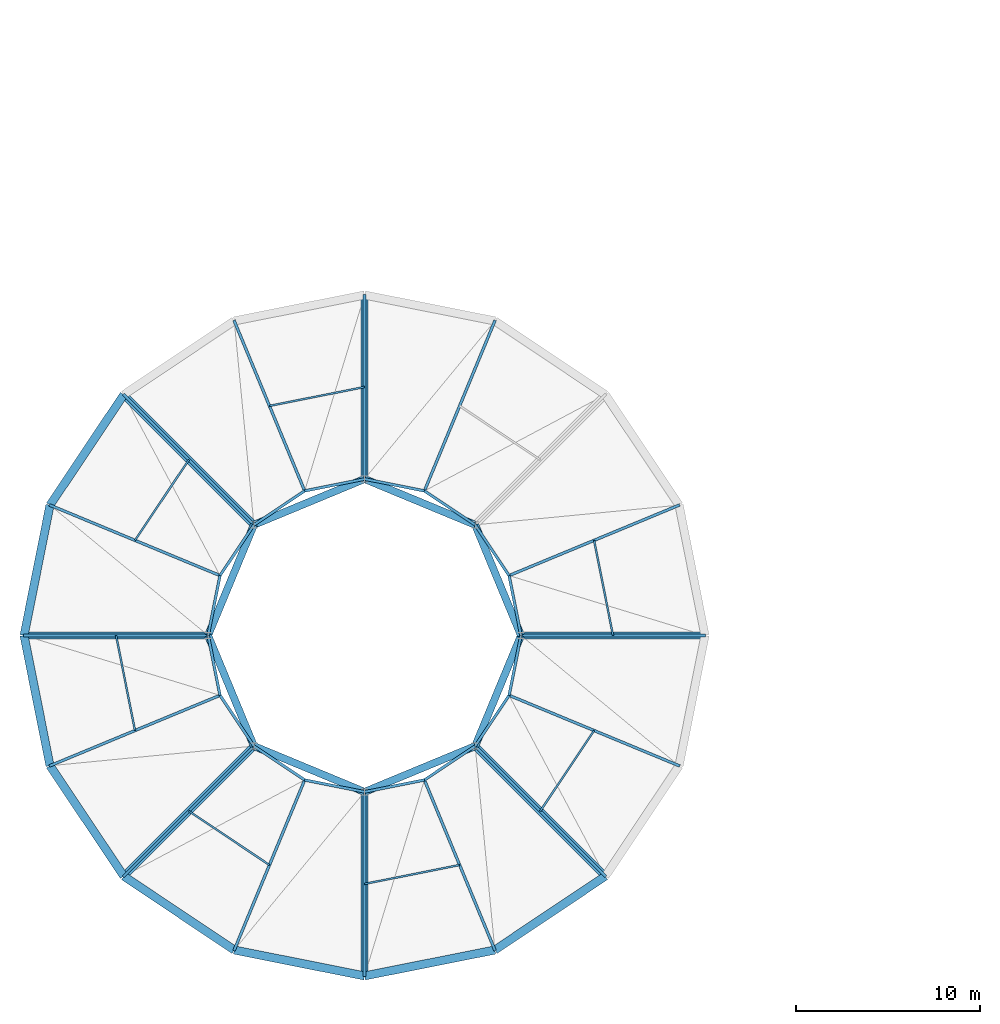
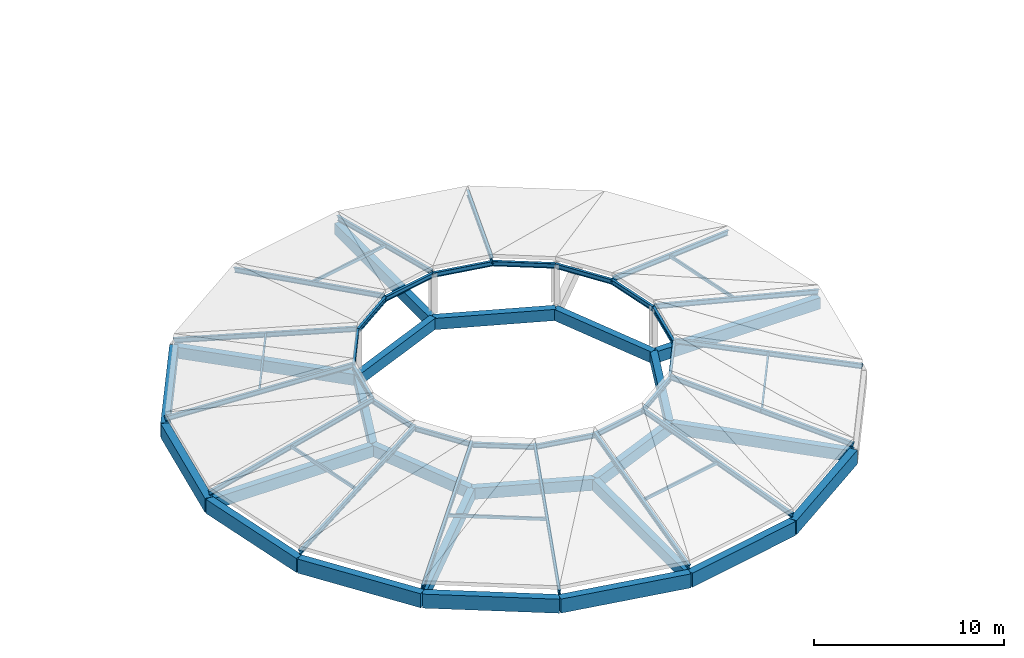
# One storey, part 8 of 50: 54 beams, 7 members.
"""IFC4 building model written with IfcOpenShell, lengths in metres."""

from ifc_helpers import new_model, si_unit, derived_unit, direction, frame, origin, origin_2d, place, context, subcontext, project, spatial, rectangle, hollow_rectangle, i_section, extrude, material, material_profile, profile_set, type_object, element, save


model = new_model("IFC4")

# Units and contexts
model_context = context("Model", 3, precision=1e-05, world=origin(), true_north=direction((0.0, 1.0)))
body_context = subcontext(model_context, "Body", "Model", "MODEL_VIEW")
ifc_project = project(units=[si_unit("LENGTHUNIT", "METRE"), si_unit("AREAUNIT", "SQUARE_METRE"), si_unit("VOLUMEUNIT", "CUBIC_METRE"), si_unit("PLANEANGLEUNIT", "RADIAN"), si_unit("MASSUNIT", "GRAM", prefix="KILO"), si_unit("THERMODYNAMICTEMPERATUREUNIT", "KELVIN"), derived_unit("THERMALTRANSMITTANCEUNIT", [(si_unit("POWERUNIT", "WATT"), 1), (si_unit("AREAUNIT", "SQUARE_METRE"), -1), (si_unit("THERMODYNAMICTEMPERATUREUNIT", "KELVIN"), -1)])], contexts=[model_context])

# Site, building, storey
site_placement = place(None, origin())
site = spatial("IfcSite", under=ifc_project, at=site_placement, CompositionType="ELEMENT")
building_placement = place(site_placement, origin())
building = spatial("IfcBuilding", under=site, at=building_placement, Name="Haiyu Intermodal Mobility Hub", CompositionType="ELEMENT")
storey_placement = place(building_placement, frame((0.0, 0.0, 25.10009765625)))
storey = spatial("IfcBuildingStorey", under=building, at=storey_placement, Name="L06", CompositionType="ELEMENT", Elevation=25.10009765625)

# Beams
ifc_material_1 = material(Name="Concrete C40", Category="concrete")
ifc_material_profile_1 = material_profile(ifc_material_1, rectangle(XDim=0.449951171875, YDim=0.89990234375, at=origin_2d()), Name="RCB450x900")
ifc_profile_set_1 = profile_set([ifc_material_profile_1], Name="Concrete C40")
beam_type_1 = type_object("IfcBeamType", Name="BM-CB10", PredefinedType="BEAM", material=ifc_profile_set_1)
beam_1_placement = place(storey_placement, frame((20.9189453125, 73.0810546875, -0.72998046875), z_axis=(-0.555691099877, -0.831388838942, 0.0), x_axis=(0.831388838942, -0.555691099877, 0.0)))
element("IfcBeam", 1, at=beam_1_placement, inside=storey, type_object=beam_type_1, Name="BM-RMP-O-L06-007", PredefinedType="BEAM", context=body_context, shape_type="SweptSolid", body=[
    extrude(rectangle(XDim=0.449951171875, YDim=0.89990234375, at=origin_2d()), origin(), (0.0, 0.0, 1.0), 7.218017578125),
])
for number, where, z_axis, x_axis, name in (
    (2, (16.907958984375, 67.080078125, -0.72998046875), (-0.195042866972, -0.980794718605, 0.0), (0.980794718605, -0.195042866972, 0.0), "BM-RMP-O-L06-008"),
    (3, (15.5, 60.0, -0.72998046875), (0.195042866972, -0.980794718605, 0.0), (0.980794718605, 0.195042866972, 0.0), "BM-RMP-O-L06-009"),
):
    element("IfcBeam", number, at=place(storey_placement, frame(where, z_axis=z_axis, x_axis=x_axis)), inside=storey, type_object=beam_type_1, Name=name, PredefinedType="BEAM", context=body_context, shape_type="SweptSolid", body=[
        extrude(rectangle(XDim=0.449951171875, YDim=0.89990234375, at=origin_2d()), origin(), (0.0, 0.0, 1.0), 7.21875),
    ])
for number, where, z_axis, x_axis, name in (
    (4, (16.907958984375, 52.919921875, -0.72998046875), (0.555691099877, -0.831388838942, 0.0), (0.831388838942, 0.555691099877, 0.0), "BM-RMP-O-L06-010"),
    (5, (20.9189453125, 46.9189453125, -0.72998046875), (0.831388838942, -0.555691099877, 0.0), (0.555691099877, 0.831388838942, 0.0), "BM-RMP-O-L06-011"),
):
    element("IfcBeam", number, at=place(storey_placement, frame(where, z_axis=z_axis, x_axis=x_axis)), inside=storey, type_object=beam_type_1, Name=name, PredefinedType="BEAM", context=body_context, shape_type="SweptSolid", body=[
        extrude(rectangle(XDim=0.449951171875, YDim=0.89990234375, at=origin_2d()), origin(), (0.0, 0.0, 1.0), 7.218017578125),
    ])
for number, where, z_axis, x_axis, name in (
    (6, (26.919921875, 42.907958984375, -0.72998046875), (0.980794718605, -0.195042866972, 0.0), (0.195042866972, 0.980794718605, 0.0), "BM-RMP-O-L06-012"),
    (7, (34.0, 41.5, -0.72998046875), (0.980794718605, 0.195042866972, 0.0), (-0.195042866972, 0.980794718605, 0.0), "BM-RMP-O-L06-013"),
):
    element("IfcBeam", number, at=place(storey_placement, frame(where, z_axis=z_axis, x_axis=x_axis)), inside=storey, type_object=beam_type_1, Name=name, PredefinedType="BEAM", context=body_context, shape_type="SweptSolid", body=[
        extrude(rectangle(XDim=0.449951171875, YDim=0.89990234375, at=origin_2d()), origin(), (0.0, 0.0, 1.0), 7.21875),
    ])
beam_2_placement = place(storey_placement, frame((41.080078125, 42.907958984375, -0.72998046875), z_axis=(0.831388838942, 0.555691099877, 0.0), x_axis=(-0.555691099877, 0.831388838942, 0.0)))
element("IfcBeam", 8, at=beam_2_placement, inside=storey, type_object=beam_type_1, Name="BM-RMP-O-L06-014", PredefinedType="BEAM", context=body_context, shape_type="SweptSolid", body=[
    extrude(rectangle(XDim=0.449951171875, YDim=0.89990234375, at=origin_2d()), origin(), (0.0, 0.0, 1.0), 7.218017578125),
])
ifc_material_profile_2 = material_profile(ifc_material_1, rectangle(XDim=0.39990234375, YDim=0.719970703125, at=origin_2d()), Name="RCB400x720")
ifc_profile_set_2 = profile_set([ifc_material_profile_2], Name="Concrete C40")
beam_type_2 = type_object("IfcBeamType", Name="BM-CB11", PredefinedType="BEAM", material=ifc_profile_set_2)
beam_3_placement = place(storey_placement, frame((42.5, 60.0, -0.64013671875), z_axis=(-0.382757258538, 0.923848949253, 0.0), x_axis=(-0.923848949253, -0.382757258538, 0.0)))
element("IfcBeam", 9, at=beam_3_placement, inside=storey, type_object=beam_type_2, Name="BM-RMP-I-L06-017", PredefinedType="BEAM", context=body_context, shape_type="SweptSolid", body=[
    extrude(rectangle(XDim=0.39990234375, YDim=0.719970703125, at=origin_2d()), origin(), (0.0, 0.0, 1.0), 6.50537109375),
])
beam_4_placement = place(storey_placement, frame((42.5, 60.0, -0.64013671875), z_axis=(1.0, 0.0, 0.0), x_axis=(0.0, 1.0, 0.0)))
element("IfcBeam", 10, at=beam_4_placement, inside=storey, type_object=beam_type_2, Name="BM-RMP-R-L06-018", PredefinedType="BEAM", context=body_context, shape_type="SweptSolid", body=[
    extrude(rectangle(XDim=0.39990234375, YDim=0.719970703125, at=origin_2d()), origin(), (0.0, 0.0, 1.0), 10.0),
])
for number, where, z_axis, x_axis, name in (
    (11, (40.010009765625, 66.010009765625, -0.64013671875), (-0.923848949253, 0.382757258538, 0.0), (-0.382757258538, -0.923848949253, 0.0), "BM-RMP-I-L06-019"),
    (12, (34.0, 68.5, -0.64013671875), (-0.923848949253, -0.382757258538, 0.0), (0.382757258538, -0.923848949253, 0.0), "BM-RMP-I-L06-021"),
):
    element("IfcBeam", number, at=place(storey_placement, frame(where, z_axis=z_axis, x_axis=x_axis)), inside=storey, type_object=beam_type_2, Name=name, PredefinedType="BEAM", context=body_context, shape_type="SweptSolid", body=[
        extrude(rectangle(XDim=0.39990234375, YDim=0.719970703125, at=origin_2d()), origin(), (0.0, 0.0, 1.0), 6.50537109375),
    ])
beam_5_placement = place(storey_placement, frame((34.0, 68.5, -0.64013671875), z_axis=(0.0, 1.0, 0.0), x_axis=(-1.0, 0.0, 0.0)))
element("IfcBeam", 13, at=beam_5_placement, inside=storey, type_object=beam_type_2, Name="BM-RMP-R-L06-022", PredefinedType="BEAM", context=body_context, shape_type="SweptSolid", body=[
    extrude(rectangle(XDim=0.39990234375, YDim=0.719970703125, at=origin_2d()), origin(), (0.0, 0.0, 1.0), 10.0),
])
beam_6_placement = place(storey_placement, frame((27.989990234375, 66.010009765625, -0.64013671875), z_axis=(-0.382757258538, -0.923848949253, 0.0), x_axis=(0.923848949253, -0.382757258538, 0.0)))
element("IfcBeam", 14, at=beam_6_placement, inside=storey, type_object=beam_type_2, Name="BM-RMP-I-L06-023", PredefinedType="BEAM", context=body_context, shape_type="SweptSolid", body=[
    extrude(rectangle(XDim=0.39990234375, YDim=0.719970703125, at=origin_2d()), origin(), (0.0, 0.0, 1.0), 6.50537109375),
])
beam_7_placement = place(storey_placement, frame((27.989990234375, 66.010009765625, -0.64013671875), z_axis=(-0.707106781187, 0.707106781187, 0.0), x_axis=(-0.707106781187, -0.707106781187, 0.0)))
element("IfcBeam", 15, at=beam_7_placement, inside=storey, type_object=beam_type_2, Name="BM-RMP-R-L06-024", PredefinedType="BEAM", context=body_context, shape_type="SweptSolid", body=[
    extrude(rectangle(XDim=0.39990234375, YDim=0.719970703125, at=origin_2d()), origin(), (0.0, 0.0, 1.0), 10.0),
])
beam_8_placement = place(storey_placement, frame((25.5, 60.0, -0.64013671875), z_axis=(0.382757258538, -0.923848949253, 0.0), x_axis=(0.923848949253, 0.382757258538, 0.0)))
element("IfcBeam", 16, at=beam_8_placement, inside=storey, type_object=beam_type_2, Name="BM-RMP-I-L06-025", PredefinedType="BEAM", context=body_context, shape_type="SweptSolid", body=[
    extrude(rectangle(XDim=0.39990234375, YDim=0.719970703125, at=origin_2d()), origin(), (0.0, 0.0, 1.0), 6.50537109375),
])
beam_9_placement = place(storey_placement, frame((25.5, 60.0, -0.64013671875), z_axis=(-1.0, 0.0, 0.0), x_axis=(0.0, -1.0, 0.0)))
element("IfcBeam", 17, at=beam_9_placement, inside=storey, type_object=beam_type_2, Name="BM-RMP-R-L06-026", PredefinedType="BEAM", context=body_context, shape_type="SweptSolid", body=[
    extrude(rectangle(XDim=0.39990234375, YDim=0.719970703125, at=origin_2d()), origin(), (0.0, 0.0, 1.0), 10.0),
])
beam_10_placement = place(storey_placement, frame((27.989990234375, 53.989990234375, -0.64013671875), z_axis=(0.923848949253, -0.382757258538, 0.0), x_axis=(0.382757258538, 0.923848949253, 0.0)))
element("IfcBeam", 18, at=beam_10_placement, inside=storey, type_object=beam_type_2, Name="BM-RMP-I-L06-027", PredefinedType="BEAM", context=body_context, shape_type="SweptSolid", body=[
    extrude(rectangle(XDim=0.39990234375, YDim=0.719970703125, at=origin_2d()), origin(), (0.0, 0.0, 1.0), 6.50537109375),
])
beam_11_placement = place(storey_placement, frame((27.989990234375, 53.989990234375, -0.64013671875), z_axis=(-0.707106781187, -0.707106781187, 0.0), x_axis=(0.707106781187, -0.707106781187, 0.0)))
element("IfcBeam", 19, at=beam_11_placement, inside=storey, type_object=beam_type_2, Name="BM-RMP-R-L06-028", PredefinedType="BEAM", context=body_context, shape_type="SweptSolid", body=[
    extrude(rectangle(XDim=0.39990234375, YDim=0.719970703125, at=origin_2d()), origin(), (0.0, 0.0, 1.0), 10.0),
])
beam_12_placement = place(storey_placement, frame((34.0, 51.5, -0.64013671875), z_axis=(0.923848949253, 0.382757258538, 0.0), x_axis=(-0.382757258538, 0.923848949253, 0.0)))
element("IfcBeam", 20, at=beam_12_placement, inside=storey, type_object=beam_type_2, Name="BM-RMP-I-L06-029", PredefinedType="BEAM", context=body_context, shape_type="SweptSolid", body=[
    extrude(rectangle(XDim=0.39990234375, YDim=0.719970703125, at=origin_2d()), origin(), (0.0, 0.0, 1.0), 6.50537109375),
])
beam_13_placement = place(storey_placement, frame((34.0, 51.5, -0.64013671875), z_axis=(0.0, -1.0, 0.0), x_axis=(1.0, 0.0, 0.0)))
element("IfcBeam", 21, at=beam_13_placement, inside=storey, type_object=beam_type_2, Name="BM-RMP-R-L06-030", PredefinedType="BEAM", context=body_context, shape_type="SweptSolid", body=[
    extrude(rectangle(XDim=0.39990234375, YDim=0.719970703125, at=origin_2d()), origin(), (0.0, 0.0, 1.0), 10.0),
])
beam_14_placement = place(storey_placement, frame((40.010009765625, 53.989990234375, -0.64013671875), z_axis=(0.382757258538, 0.923848949253, 0.0), x_axis=(-0.923848949253, 0.382757258538, 0.0)))
element("IfcBeam", 22, at=beam_14_placement, inside=storey, type_object=beam_type_2, Name="BM-RMP-I-L06-031", PredefinedType="BEAM", context=body_context, shape_type="SweptSolid", body=[
    extrude(rectangle(XDim=0.39990234375, YDim=0.719970703125, at=origin_2d()), origin(), (0.0, 0.0, 1.0), 6.50537109375),
])
beam_15_placement = place(storey_placement, frame((40.010009765625, 53.989990234375, -0.64013671875), z_axis=(0.707106781187, -0.707106781187, 0.0), x_axis=(0.707106781187, 0.707106781187, 0.0)))
element("IfcBeam", 23, at=beam_15_placement, inside=storey, type_object=beam_type_2, Name="BM-RMP-R-L06-032", PredefinedType="BEAM", context=body_context, shape_type="SweptSolid", body=[
    extrude(rectangle(XDim=0.39990234375, YDim=0.719970703125, at=origin_2d()), origin(), (0.0, 0.0, 1.0), 10.0),
])
ifc_material_2 = material(Name="Steel Q355C", Category="steel")
ifc_material_profile_3 = material_profile(ifc_material_2, i_section(OverallWidth=0.14990234375, OverallDepth=0.300048828125, WebThickness=0.006591796875, FlangeThickness=0.009033203125, FilletRadius=0.012939453125, at=origin_2d()), Name="HN300x150x6.5x9")
ifc_profile_set_3 = profile_set([ifc_material_profile_3], Name="Steel Q355C")
beam_type_3 = type_object("IfcBeamType", Name="BM-SB10", PredefinedType="JOIST", material=ifc_profile_set_3)
beam_16_placement = place(storey_placement, frame((42.5, 60.0, 2.39990234375), z_axis=(-0.195068485645, 0.980789623675, 0.0), x_axis=(-0.980789623675, -0.195068485645, 0.0)))
element("IfcBeam", 24, at=beam_16_placement, inside=storey, type_object=beam_type_3, Name="BM-RMPLR-L06-01", PredefinedType="JOIST", context=body_context, shape_type="SweptSolid", body=[
    extrude(i_section(OverallWidth=0.14990234375, OverallDepth=0.300048828125, WebThickness=0.006591796875, FlangeThickness=0.009033203125, FilletRadius=0.012939453125, at=origin_2d()), origin(), (0.0, 0.0, 1.0), 3.316650390625),
])
beam_17_placement = place(storey_placement, frame((52.5, 60.0, 0.0), z_axis=(-0.968996324385, 0.0, 0.247075137009), x_axis=(0.0, -1.0, 0.0)))
element("IfcBeam", 25, at=beam_17_placement, inside=storey, type_object=beam_type_3, Name="Ramp Drum Radial Rafter RR-01", PredefinedType="JOIST", context=body_context, shape_type="SweptSolid", body=[
    extrude(i_section(OverallWidth=0.14990234375, OverallDepth=0.300048828125, WebThickness=0.006591796875, FlangeThickness=0.009033203125, FilletRadius=0.012939453125, at=origin_2d()), origin(), (0.0, 0.0, 1.0), 10.320068359375),
])
beam_18_placement = place(storey_placement, frame((41.85302734375, 63.2529296875, 2.39990234375), z_axis=(-0.555736069331, 0.831358780097, 0.0), x_axis=(-0.831358780097, -0.555736069331, 0.0)))
element("IfcBeam", 26, at=beam_18_placement, inside=storey, type_object=beam_type_3, Name="BM-RMPLR-L06-02", PredefinedType="JOIST", context=body_context, shape_type="SweptSolid", body=[
    extrude(i_section(OverallWidth=0.14990234375, OverallDepth=0.300048828125, WebThickness=0.006591796875, FlangeThickness=0.009033203125, FilletRadius=0.012939453125, at=origin_2d()), origin(), (0.0, 0.0, 1.0), 3.31640625),
])
beam_19_placement = place(storey_placement, frame((51.092041015625, 67.080078125, 0.0), z_axis=(-0.895229967722, -0.37083806712, 0.247067668601), x_axis=(0.382702523239, -0.923871624581, 0.0)))
element("IfcBeam", 27, at=beam_19_placement, inside=storey, type_object=beam_type_3, Name="Ramp Drum Radial Rafter RR-02", PredefinedType="JOIST", context=body_context, shape_type="SweptSolid", body=[
    extrude(i_section(OverallWidth=0.14990234375, OverallDepth=0.300048828125, WebThickness=0.006591796875, FlangeThickness=0.009033203125, FilletRadius=0.012939453125, at=origin_2d()), origin(), (0.0, 0.0, 1.0), 10.3203125),
])
beam_20_placement = place(storey_placement, frame((40.010009765625, 66.010009765625, 2.39990234375), z_axis=(-0.831358780097, 0.555736069331, 0.0), x_axis=(-0.555736069331, -0.831358780097, 0.0)))
element("IfcBeam", 28, at=beam_20_placement, inside=storey, type_object=beam_type_3, Name="BM-RMPLR-L06-03", PredefinedType="JOIST", context=body_context, shape_type="SweptSolid", body=[
    extrude(i_section(OverallWidth=0.14990234375, OverallDepth=0.300048828125, WebThickness=0.006591796875, FlangeThickness=0.009033203125, FilletRadius=0.012939453125, at=origin_2d()), origin(), (0.0, 0.0, 1.0), 3.31640625),
])
beam_21_placement = place(storey_placement, frame((37.2529296875, 67.85302734375, 2.39990234375), z_axis=(-0.980789623675, 0.195068485645, 0.0), x_axis=(-0.195068485645, -0.980789623675, 0.0)))
element("IfcBeam", 29, at=beam_21_placement, inside=storey, type_object=beam_type_3, Name="BM-RMPLR-L06-04", PredefinedType="JOIST", context=body_context, shape_type="SweptSolid", body=[
    extrude(i_section(OverallWidth=0.14990234375, OverallDepth=0.300048828125, WebThickness=0.006591796875, FlangeThickness=0.009033203125, FilletRadius=0.012939453125, at=origin_2d()), origin(), (0.0, 0.0, 1.0), 3.316650390625),
])
beam_22_placement = place(storey_placement, frame((41.080078125, 77.092041015625, 0.0), z_axis=(-0.37083806712, -0.895229967722, 0.247067668601), x_axis=(0.923871624581, -0.382702523239, 0.0)))
element("IfcBeam", 30, at=beam_22_placement, inside=storey, type_object=beam_type_3, Name="Ramp Drum Radial Rafter RR-04", PredefinedType="JOIST", context=body_context, shape_type="SweptSolid", body=[
    extrude(i_section(OverallWidth=0.14990234375, OverallDepth=0.300048828125, WebThickness=0.006591796875, FlangeThickness=0.009033203125, FilletRadius=0.012939453125, at=origin_2d()), origin(), (0.0, 0.0, 1.0), 10.3203125),
])
beam_23_placement = place(storey_placement, frame((34.0, 68.5, 2.39990234375), z_axis=(-0.980789623675, -0.195068485645, 0.0), x_axis=(0.195068485645, -0.980789623675, 0.0)))
element("IfcBeam", 31, at=beam_23_placement, inside=storey, type_object=beam_type_3, Name="BM-RMPLR-L06-05", PredefinedType="JOIST", context=body_context, shape_type="SweptSolid", body=[
    extrude(i_section(OverallWidth=0.14990234375, OverallDepth=0.300048828125, WebThickness=0.006591796875, FlangeThickness=0.009033203125, FilletRadius=0.012939453125, at=origin_2d()), origin(), (0.0, 0.0, 1.0), 3.316650390625),
])
beam_24_placement = place(storey_placement, frame((34.0, 78.5, 0.0), z_axis=(0.0, -0.968996324385, 0.247075137009), x_axis=(1.0, 0.0, 0.0)))
element("IfcBeam", 32, at=beam_24_placement, inside=storey, type_object=beam_type_3, Name="Ramp Drum Radial Rafter RR-05", PredefinedType="JOIST", context=body_context, shape_type="SweptSolid", body=[
    extrude(i_section(OverallWidth=0.14990234375, OverallDepth=0.300048828125, WebThickness=0.006591796875, FlangeThickness=0.009033203125, FilletRadius=0.012939453125, at=origin_2d()), origin(), (0.0, 0.0, 1.0), 10.320068359375),
])
beam_25_placement = place(storey_placement, frame((30.7470703125, 67.85302734375, 2.39990234375), z_axis=(-0.831358780097, -0.555736069331, 0.0), x_axis=(0.555736069331, -0.831358780097, 0.0)))
element("IfcBeam", 33, at=beam_25_placement, inside=storey, type_object=beam_type_3, Name="BM-RMPLR-L06-06", PredefinedType="JOIST", context=body_context, shape_type="SweptSolid", body=[
    extrude(i_section(OverallWidth=0.14990234375, OverallDepth=0.300048828125, WebThickness=0.006591796875, FlangeThickness=0.009033203125, FilletRadius=0.012939453125, at=origin_2d()), origin(), (0.0, 0.0, 1.0), 3.31640625),
])
beam_26_placement = place(storey_placement, frame((26.919921875, 77.092041015625, 0.0), z_axis=(0.37083806712, -0.895229967722, 0.247067668601), x_axis=(0.923871624581, 0.382702523239, 0.0)))
element("IfcBeam", 34, at=beam_26_placement, inside=storey, type_object=beam_type_3, Name="Ramp Drum Radial Rafter RR-06", PredefinedType="JOIST", context=body_context, shape_type="SweptSolid", body=[
    extrude(i_section(OverallWidth=0.14990234375, OverallDepth=0.300048828125, WebThickness=0.006591796875, FlangeThickness=0.009033203125, FilletRadius=0.012939453125, at=origin_2d()), origin(), (0.0, 0.0, 1.0), 10.3203125),
])
beam_27_placement = place(storey_placement, frame((27.989990234375, 66.010009765625, 2.39990234375), z_axis=(-0.555736069331, -0.831358780097, 0.0), x_axis=(0.831358780097, -0.555736069331, 0.0)))
element("IfcBeam", 35, at=beam_27_placement, inside=storey, type_object=beam_type_3, Name="BM-RMPLR-L06-07", PredefinedType="JOIST", context=body_context, shape_type="SweptSolid", body=[
    extrude(i_section(OverallWidth=0.14990234375, OverallDepth=0.300048828125, WebThickness=0.006591796875, FlangeThickness=0.009033203125, FilletRadius=0.012939453125, at=origin_2d()), origin(), (0.0, 0.0, 1.0), 3.31640625),
])
beam_28_placement = place(storey_placement, frame((20.9189453125, 73.0810546875, 0.0), z_axis=(0.685183736515, -0.685183736515, 0.247075888001), x_axis=(0.707106781187, 0.707106781187, 0.0)))
element("IfcBeam", 36, at=beam_28_placement, inside=storey, type_object=beam_type_3, Name="Ramp Drum Radial Rafter RR-07", PredefinedType="JOIST", context=body_context, shape_type="SweptSolid", body=[
    extrude(i_section(OverallWidth=0.14990234375, OverallDepth=0.300048828125, WebThickness=0.006591796875, FlangeThickness=0.009033203125, FilletRadius=0.012939453125, at=origin_2d()), origin(), (0.0, 0.0, 1.0), 10.31982421875),
])
beam_29_placement = place(storey_placement, frame((26.14697265625, 63.2529296875, 2.39990234375), z_axis=(-0.195068485645, -0.980789623675, 0.0), x_axis=(0.980789623675, -0.195068485645, 0.0)))
element("IfcBeam", 37, at=beam_29_placement, inside=storey, type_object=beam_type_3, Name="BM-RMPLR-L06-08", PredefinedType="JOIST", context=body_context, shape_type="SweptSolid", body=[
    extrude(i_section(OverallWidth=0.14990234375, OverallDepth=0.300048828125, WebThickness=0.006591796875, FlangeThickness=0.009033203125, FilletRadius=0.012939453125, at=origin_2d()), origin(), (0.0, 0.0, 1.0), 3.316650390625),
])
beam_30_placement = place(storey_placement, frame((16.907958984375, 67.080078125, 0.0), z_axis=(0.895229967722, -0.37083806712, 0.247067668601), x_axis=(0.382702523239, 0.923871624581, 0.0)))
element("IfcBeam", 38, at=beam_30_placement, inside=storey, type_object=beam_type_3, Name="Ramp Drum Radial Rafter RR-08", PredefinedType="JOIST", context=body_context, shape_type="SweptSolid", body=[
    extrude(i_section(OverallWidth=0.14990234375, OverallDepth=0.300048828125, WebThickness=0.006591796875, FlangeThickness=0.009033203125, FilletRadius=0.012939453125, at=origin_2d()), origin(), (0.0, 0.0, 1.0), 10.3203125),
])
beam_31_placement = place(storey_placement, frame((25.5, 60.0, 2.39990234375), z_axis=(0.195068485645, -0.980789623675, 0.0), x_axis=(0.980789623675, 0.195068485645, 0.0)))
element("IfcBeam", 39, at=beam_31_placement, inside=storey, type_object=beam_type_3, Name="BM-RMPLR-L06-09", PredefinedType="JOIST", context=body_context, shape_type="SweptSolid", body=[
    extrude(i_section(OverallWidth=0.14990234375, OverallDepth=0.300048828125, WebThickness=0.006591796875, FlangeThickness=0.009033203125, FilletRadius=0.012939453125, at=origin_2d()), origin(), (0.0, 0.0, 1.0), 3.316650390625),
])
beam_32_placement = place(storey_placement, frame((15.5, 60.0, 0.0), z_axis=(0.968996324385, 0.0, 0.247075137009), x_axis=(0.0, 1.0, 0.0)))
element("IfcBeam", 40, at=beam_32_placement, inside=storey, type_object=beam_type_3, Name="Ramp Drum Radial Rafter RR-09", PredefinedType="JOIST", context=body_context, shape_type="SweptSolid", body=[
    extrude(i_section(OverallWidth=0.14990234375, OverallDepth=0.300048828125, WebThickness=0.006591796875, FlangeThickness=0.009033203125, FilletRadius=0.012939453125, at=origin_2d()), origin(), (0.0, 0.0, 1.0), 10.320068359375),
])
beam_33_placement = place(storey_placement, frame((26.14697265625, 56.7470703125, 2.39990234375), z_axis=(0.555736069331, -0.831358780097, 0.0), x_axis=(0.831358780097, 0.555736069331, 0.0)))
element("IfcBeam", 41, at=beam_33_placement, inside=storey, type_object=beam_type_3, Name="BM-RMPLR-L06-10", PredefinedType="JOIST", context=body_context, shape_type="SweptSolid", body=[
    extrude(i_section(OverallWidth=0.14990234375, OverallDepth=0.300048828125, WebThickness=0.006591796875, FlangeThickness=0.009033203125, FilletRadius=0.012939453125, at=origin_2d()), origin(), (0.0, 0.0, 1.0), 3.31640625),
])
beam_34_placement = place(storey_placement, frame((16.907958984375, 52.919921875, 0.0), z_axis=(0.895229967722, 0.37083806712, 0.247067668601), x_axis=(-0.382702523239, 0.923871624581, 0.0)))
element("IfcBeam", 42, at=beam_34_placement, inside=storey, type_object=beam_type_3, Name="Ramp Drum Radial Rafter RR-10", PredefinedType="JOIST", context=body_context, shape_type="SweptSolid", body=[
    extrude(i_section(OverallWidth=0.14990234375, OverallDepth=0.300048828125, WebThickness=0.006591796875, FlangeThickness=0.009033203125, FilletRadius=0.012939453125, at=origin_2d()), origin(), (0.0, 0.0, 1.0), 10.3203125),
])
beam_35_placement = place(storey_placement, frame((27.989990234375, 53.989990234375, 2.39990234375), z_axis=(0.831358780097, -0.555736069331, 0.0), x_axis=(0.555736069331, 0.831358780097, 0.0)))
element("IfcBeam", 43, at=beam_35_placement, inside=storey, type_object=beam_type_3, Name="BM-RMPLR-L06-11", PredefinedType="JOIST", context=body_context, shape_type="SweptSolid", body=[
    extrude(i_section(OverallWidth=0.14990234375, OverallDepth=0.300048828125, WebThickness=0.006591796875, FlangeThickness=0.009033203125, FilletRadius=0.012939453125, at=origin_2d()), origin(), (0.0, 0.0, 1.0), 3.31640625),
])
beam_36_placement = place(storey_placement, frame((20.9189453125, 46.9189453125, 0.0), z_axis=(0.685183736515, 0.685183736515, 0.247075888001), x_axis=(-0.707106781187, 0.707106781187, 0.0)))
element("IfcBeam", 44, at=beam_36_placement, inside=storey, type_object=beam_type_3, Name="Ramp Drum Radial Rafter RR-11", PredefinedType="JOIST", context=body_context, shape_type="SweptSolid", body=[
    extrude(i_section(OverallWidth=0.14990234375, OverallDepth=0.300048828125, WebThickness=0.006591796875, FlangeThickness=0.009033203125, FilletRadius=0.012939453125, at=origin_2d()), origin(), (0.0, 0.0, 1.0), 10.31982421875),
])
beam_37_placement = place(storey_placement, frame((30.7470703125, 52.14697265625, 2.39990234375), z_axis=(0.980789623675, -0.195068485645, 0.0), x_axis=(0.195068485645, 0.980789623675, 0.0)))
element("IfcBeam", 45, at=beam_37_placement, inside=storey, type_object=beam_type_3, Name="BM-RMPLR-L06-12", PredefinedType="JOIST", context=body_context, shape_type="SweptSolid", body=[
    extrude(i_section(OverallWidth=0.14990234375, OverallDepth=0.300048828125, WebThickness=0.006591796875, FlangeThickness=0.009033203125, FilletRadius=0.012939453125, at=origin_2d()), origin(), (0.0, 0.0, 1.0), 3.316650390625),
])
beam_38_placement = place(storey_placement, frame((26.919921875, 42.907958984375, 0.0), z_axis=(0.37083806712, 0.895229967722, 0.247067668601), x_axis=(-0.923871624581, 0.382702523239, 0.0)))
element("IfcBeam", 46, at=beam_38_placement, inside=storey, type_object=beam_type_3, Name="Ramp Drum Radial Rafter RR-12", PredefinedType="JOIST", context=body_context, shape_type="SweptSolid", body=[
    extrude(i_section(OverallWidth=0.14990234375, OverallDepth=0.300048828125, WebThickness=0.006591796875, FlangeThickness=0.009033203125, FilletRadius=0.012939453125, at=origin_2d()), origin(), (0.0, 0.0, 1.0), 10.3203125),
])
beam_39_placement = place(storey_placement, frame((34.0, 51.5, 2.39990234375), z_axis=(0.980789623675, 0.195068485645, 0.0), x_axis=(-0.195068485645, 0.980789623675, 0.0)))
element("IfcBeam", 47, at=beam_39_placement, inside=storey, type_object=beam_type_3, Name="BM-RMPLR-L06-13", PredefinedType="JOIST", context=body_context, shape_type="SweptSolid", body=[
    extrude(i_section(OverallWidth=0.14990234375, OverallDepth=0.300048828125, WebThickness=0.006591796875, FlangeThickness=0.009033203125, FilletRadius=0.012939453125, at=origin_2d()), origin(), (0.0, 0.0, 1.0), 3.316650390625),
])
beam_40_placement = place(storey_placement, frame((34.0, 41.5, 0.0), z_axis=(0.0, 0.968996324385, 0.247075137009), x_axis=(-1.0, 0.0, 0.0)))
element("IfcBeam", 48, at=beam_40_placement, inside=storey, type_object=beam_type_3, Name="Ramp Drum Radial Rafter RR-13", PredefinedType="JOIST", context=body_context, shape_type="SweptSolid", body=[
    extrude(i_section(OverallWidth=0.14990234375, OverallDepth=0.300048828125, WebThickness=0.006591796875, FlangeThickness=0.009033203125, FilletRadius=0.012939453125, at=origin_2d()), origin(), (0.0, 0.0, 1.0), 10.320068359375),
])
beam_41_placement = place(storey_placement, frame((37.2529296875, 52.14697265625, 2.39990234375), z_axis=(0.831358780097, 0.555736069331, 0.0), x_axis=(-0.555736069331, 0.831358780097, 0.0)))
element("IfcBeam", 49, at=beam_41_placement, inside=storey, type_object=beam_type_3, Name="BM-RMPLR-L06-14", PredefinedType="JOIST", context=body_context, shape_type="SweptSolid", body=[
    extrude(i_section(OverallWidth=0.14990234375, OverallDepth=0.300048828125, WebThickness=0.006591796875, FlangeThickness=0.009033203125, FilletRadius=0.012939453125, at=origin_2d()), origin(), (0.0, 0.0, 1.0), 3.31640625),
])
beam_42_placement = place(storey_placement, frame((41.080078125, 42.907958984375, 0.0), z_axis=(-0.37083806712, 0.895229967722, 0.247067668601), x_axis=(-0.923871624581, -0.382702523239, 0.0)))
element("IfcBeam", 50, at=beam_42_placement, inside=storey, type_object=beam_type_3, Name="Ramp Drum Radial Rafter RR-14", PredefinedType="JOIST", context=body_context, shape_type="SweptSolid", body=[
    extrude(i_section(OverallWidth=0.14990234375, OverallDepth=0.300048828125, WebThickness=0.006591796875, FlangeThickness=0.009033203125, FilletRadius=0.012939453125, at=origin_2d()), origin(), (0.0, 0.0, 1.0), 10.3203125),
])
beam_43_placement = place(storey_placement, frame((40.010009765625, 53.989990234375, 2.39990234375), z_axis=(0.555736069331, 0.831358780097, 0.0), x_axis=(-0.831358780097, 0.555736069331, 0.0)))
element("IfcBeam", 51, at=beam_43_placement, inside=storey, type_object=beam_type_3, Name="BM-RMPLR-L06-15", PredefinedType="JOIST", context=body_context, shape_type="SweptSolid", body=[
    extrude(i_section(OverallWidth=0.14990234375, OverallDepth=0.300048828125, WebThickness=0.006591796875, FlangeThickness=0.009033203125, FilletRadius=0.012939453125, at=origin_2d()), origin(), (0.0, 0.0, 1.0), 3.31640625),
])
beam_44_placement = place(storey_placement, frame((47.0810546875, 46.9189453125, 0.0), z_axis=(-0.685183736515, 0.685183736515, 0.247075888001), x_axis=(-0.707106781187, -0.707106781187, 0.0)))
element("IfcBeam", 52, at=beam_44_placement, inside=storey, type_object=beam_type_3, Name="Ramp Drum Radial Rafter RR-15", PredefinedType="JOIST", context=body_context, shape_type="SweptSolid", body=[
    extrude(i_section(OverallWidth=0.14990234375, OverallDepth=0.300048828125, WebThickness=0.006591796875, FlangeThickness=0.009033203125, FilletRadius=0.012939453125, at=origin_2d()), origin(), (0.0, 0.0, 1.0), 10.31982421875),
])
beam_45_placement = place(storey_placement, frame((41.85302734375, 56.7470703125, 2.39990234375), z_axis=(0.195068485645, 0.980789623675, 0.0), x_axis=(-0.980789623675, 0.195068485645, 0.0)))
element("IfcBeam", 53, at=beam_45_placement, inside=storey, type_object=beam_type_3, Name="BM-RMPLR-L06-16", PredefinedType="JOIST", context=body_context, shape_type="SweptSolid", body=[
    extrude(i_section(OverallWidth=0.14990234375, OverallDepth=0.300048828125, WebThickness=0.006591796875, FlangeThickness=0.009033203125, FilletRadius=0.012939453125, at=origin_2d()), origin(), (0.0, 0.0, 1.0), 3.316650390625),
])
beam_46_placement = place(storey_placement, frame((51.092041015625, 52.919921875, 0.0), z_axis=(-0.895229967722, 0.37083806712, 0.247067668601), x_axis=(-0.382702523239, -0.923871624581, 0.0)))
element("IfcBeam", 54, at=beam_46_placement, inside=storey, type_object=beam_type_3, Name="Ramp Drum Radial Rafter RR-16", PredefinedType="JOIST", context=body_context, shape_type="SweptSolid", body=[
    extrude(i_section(OverallWidth=0.14990234375, OverallDepth=0.300048828125, WebThickness=0.006591796875, FlangeThickness=0.009033203125, FilletRadius=0.012939453125, at=origin_2d()), origin(), (0.0, 0.0, 1.0), 10.3203125),
])

# Members
ifc_material_profile_4 = material_profile(ifc_material_2, hollow_rectangle(XDim=0.10009765625, YDim=0.199951171875, WallThickness=0.006103515625, at=origin_2d()), Name="RHS200x100x6")
ifc_profile_set_4 = profile_set([ifc_material_profile_4], Name="Steel Q355C")
member_type = type_object("IfcMemberType", Name="MEM-PR03", PredefinedType="PURLIN", material=ifc_profile_set_4)
for number, where, z_axis, x_axis, name in (
    (55, (47.5, 60.0, 1.25), (-0.195073223687, 0.980788681317, 0.0), (-0.980788681317, -0.195073223687, 0.0), "MEM-DRUMPR-01"),
    (56, (34.0, 73.5, 1.25), (-0.980788681317, -0.195073223687, 0.0), (0.195073223687, -0.980788681317, 0.0), "MEM-DRUMPR-03"),
):
    element("IfcMember", number, at=place(storey_placement, frame(where, z_axis=z_axis, x_axis=x_axis)), inside=storey, type_object=member_type, Name=name, PredefinedType="PURLIN", context=body_context, shape_type="SweptSolid", body=[
        extrude(hollow_rectangle(XDim=0.10009765625, YDim=0.199951171875, WallThickness=0.006103515625, at=origin_2d()), origin(), (0.0, 0.0, 1.0), 5.267822265625),
    ])
member_1_placement = place(storey_placement, frame((24.45458984375, 69.54541015625, 1.25), z_axis=(-0.555715964357, -0.831372219261, 0.0), x_axis=(0.831372219261, -0.555715964357, 0.0)))
element("IfcMember", 57, at=member_1_placement, inside=storey, type_object=member_type, Name="MEM-DRUMPR-04", PredefinedType="PURLIN", context=body_context, shape_type="SweptSolid", body=[
    extrude(hollow_rectangle(XDim=0.10009765625, YDim=0.199951171875, WallThickness=0.006103515625, at=origin_2d()), origin(), (0.0, 0.0, 1.0), 5.26708984375),
])
member_2_placement = place(storey_placement, frame((20.5, 60.0, 1.25), z_axis=(0.195073223687, -0.980788681317, 0.0), x_axis=(0.980788681317, 0.195073223687, 0.0)))
element("IfcMember", 58, at=member_2_placement, inside=storey, type_object=member_type, Name="MEM-DRUMPR-05", PredefinedType="PURLIN", context=body_context, shape_type="SweptSolid", body=[
    extrude(hollow_rectangle(XDim=0.10009765625, YDim=0.199951171875, WallThickness=0.006103515625, at=origin_2d()), origin(), (0.0, 0.0, 1.0), 5.267822265625),
])
member_3_placement = place(storey_placement, frame((24.45458984375, 50.45458984375, 1.25), z_axis=(0.831372219261, -0.555715964357, 0.0), x_axis=(0.555715964357, 0.831372219261, 0.0)))
element("IfcMember", 59, at=member_3_placement, inside=storey, type_object=member_type, Name="MEM-DRUMPR-06", PredefinedType="PURLIN", context=body_context, shape_type="SweptSolid", body=[
    extrude(hollow_rectangle(XDim=0.10009765625, YDim=0.199951171875, WallThickness=0.006103515625, at=origin_2d()), origin(), (0.0, 0.0, 1.0), 5.26708984375),
])
member_4_placement = place(storey_placement, frame((34.0, 46.5, 1.25), z_axis=(0.980788681317, 0.195073223687, 0.0), x_axis=(-0.195073223687, 0.980788681317, 0.0)))
element("IfcMember", 60, at=member_4_placement, inside=storey, type_object=member_type, Name="MEM-DRUMPR-07", PredefinedType="PURLIN", context=body_context, shape_type="SweptSolid", body=[
    extrude(hollow_rectangle(XDim=0.10009765625, YDim=0.199951171875, WallThickness=0.006103515625, at=origin_2d()), origin(), (0.0, 0.0, 1.0), 5.267822265625),
])
member_5_placement = place(storey_placement, frame((43.54541015625, 50.45458984375, 1.25), z_axis=(0.555715964357, 0.831372219261, 0.0), x_axis=(-0.831372219261, 0.555715964357, 0.0)))
element("IfcMember", 61, at=member_5_placement, inside=storey, type_object=member_type, Name="MEM-DRUMPR-08", PredefinedType="PURLIN", context=body_context, shape_type="SweptSolid", body=[
    extrude(hollow_rectangle(XDim=0.10009765625, YDim=0.199951171875, WallThickness=0.006103515625, at=origin_2d()), origin(), (0.0, 0.0, 1.0), 5.26708984375),
])

save(model, "model.ifc")
